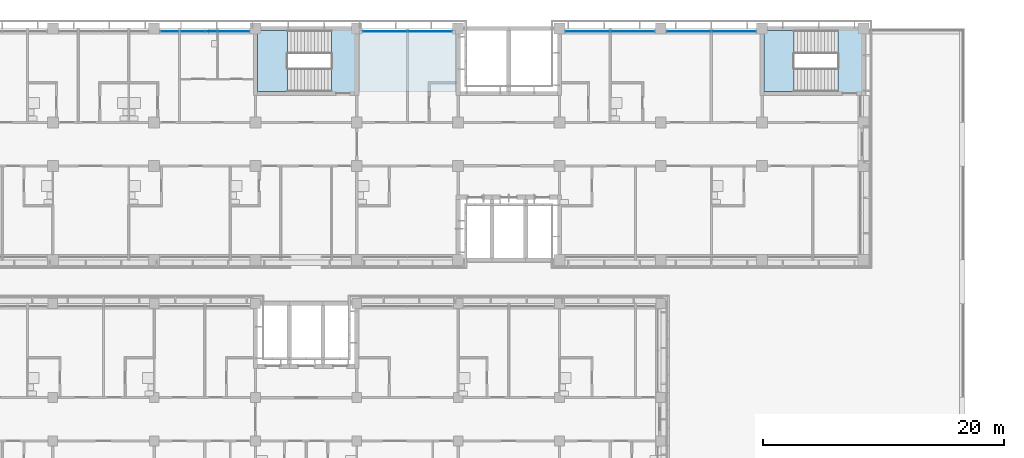
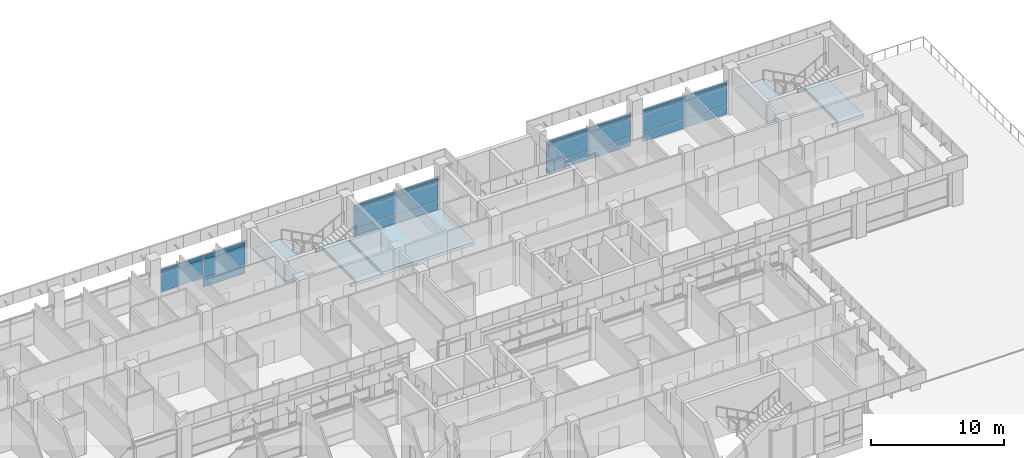
# One storey, part 62 of 137: 23 plates, 5 slabs, 6 elements without a shape of their own.
"""IFC4 building model written with IfcOpenShell, lengths in metres."""

from ifc_helpers import new_model, si_unit, direction, frame, origin, origin_2d, place, context, subcontext, project, spatial, polyline, rectangle, outline, extrude, material, layer, layer_set, type_object, element, aggregate, save


model = new_model("IFC4")

# Units and contexts
model_context = context("Model", 3, precision=1e-05, world=origin(), true_north=direction((0.0, 1.0)))
body_context = subcontext(model_context, "Body", "Model", "MODEL_VIEW")
ifc_project = project(units=[si_unit("LENGTHUNIT", "METRE"), si_unit("AREAUNIT", "SQUARE_METRE"), si_unit("VOLUMEUNIT", "CUBIC_METRE"), si_unit("PLANEANGLEUNIT", "RADIAN"), si_unit("MASSUNIT", "GRAM", prefix="KILO")], contexts=[model_context])

# Site, building, storey
site_placement = place(None, origin())
site = spatial("IfcSite", under=ifc_project, at=site_placement, CompositionType="ELEMENT")
building_placement = place(site_placement, origin())
building = spatial("IfcBuilding", under=site, at=building_placement, Name="Bougainvillea Quay General Hospital", CompositionType="ELEMENT")
storey_placement = place(building_placement, frame((0.0, 0.0, 16.800048828125)))
storey = spatial("IfcBuildingStorey", under=building, at=storey_placement, Name="L03", CompositionType="ELEMENT", Elevation=16.800048828125)

# Curtain wall, plates
ifc_material_1 = material(Name="Aluminium curtain wall system, powder-coated glazed", Category="aluminium")
curtain_wall_type = type_object("IfcCurtainWallType", Name="Unitised curtain wall CW-3730", PredefinedType="NOTDEFINED", material=ifc_material_1)
curtain_wall_1_placement = place(storey_placement, origin())
curtain_wall_1 = element("IfcCurtainWall", 1, at=curtain_wall_1_placement, inside=storey, type_object=curtain_wall_type, Name="CW-4200 00", PredefinedType="NOTDEFINED")
ifc_material_2 = material(Name="Insulated aluminium spandrel panel, white", Category="aluminium")
ifc_layer_1 = layer(ifc_material_2, 0.028076171875)
ifc_layer_set_1 = layer_set([ifc_layer_1], Name="Insulated aluminium spandrel panel, white")
plate_type_1 = type_object("IfcPlateType", Name="Insulated spandrel panel white 28", PredefinedType="CURTAIN_PANEL", material=ifc_layer_set_1)
plate_1_placement = place(storey_placement, frame((174.050048828125, 159.35009765625, 0.059814453125), z_axis=(0.0, 0.0, 1.0), x_axis=(-1.0, 0.0, 0.0)))
plate_1 = element("IfcPlate", 2, at=plate_1_placement, type_object=plate_type_1, Name="CW-4200 spandrel panel 1.1", PredefinedType="CURTAIN_PANEL", context=body_context, shape_type="SweptSolid", body=[
    extrude(rectangle(XDim=3.639892578125, YDim=0.028076171875, at=origin_2d()), origin(), (0.0, 0.0, 1.0), 0.81005859375),
])
plate_2_placement = place(storey_placement, frame((174.050048828125, 159.35009765625, 2.580078125), z_axis=(0.0, 0.0, 1.0), x_axis=(-1.0, 0.0, 0.0)))
plate_2 = element("IfcPlate", 3, at=plate_2_placement, type_object=plate_type_1, Name="CW-4200 spandrel panel 1.3", PredefinedType="CURTAIN_PANEL", context=body_context, shape_type="SweptSolid", body=[
    extrude(rectangle(XDim=3.639892578125, YDim=0.028076171875, at=origin_2d()), origin(), (0.0, 0.0, 1.0), 0.409912109375),
])
plate_3_placement = place(storey_placement, frame((170.35009765625, 159.35009765625, 0.059814453125), z_axis=(0.0, 0.0, 1.0), x_axis=(-1.0, 0.0, 0.0)))
plate_3 = element("IfcPlate", 4, at=plate_3_placement, type_object=plate_type_1, Name="CW-4200 spandrel panel 2.1", PredefinedType="CURTAIN_PANEL", context=body_context, shape_type="SweptSolid", body=[
    extrude(rectangle(XDim=3.639892578125, YDim=0.028076171875, at=origin_2d()), origin(), (0.0, 0.0, 1.0), 0.81005859375),
])
plate_4_placement = place(storey_placement, frame((170.35009765625, 159.35009765625, 2.580078125), z_axis=(0.0, 0.0, 1.0), x_axis=(-1.0, 0.0, 0.0)))
plate_4 = element("IfcPlate", 5, at=plate_4_placement, type_object=plate_type_1, Name="CW-4200 spandrel panel 2.3", PredefinedType="CURTAIN_PANEL", context=body_context, shape_type="SweptSolid", body=[
    extrude(rectangle(XDim=3.639892578125, YDim=0.028076171875, at=origin_2d()), origin(), (0.0, 0.0, 1.0), 0.409912109375),
])

curtain_wall_2_placement = place(storey_placement, origin())
curtain_wall_2 = element("IfcCurtainWall", 6, at=curtain_wall_2_placement, inside=storey, type_object=curtain_wall_type, Name="CW-4200 01", PredefinedType="NOTDEFINED")
plate_5_placement = place(storey_placement, frame((165.64990234375, 159.35009765625, 0.059814453125), z_axis=(0.0, 0.0, 1.0), x_axis=(-1.0, 0.0, 0.0)))
plate_5 = element("IfcPlate", 7, at=plate_5_placement, type_object=plate_type_1, Name="CW-4200 spandrel panel 1.1", PredefinedType="CURTAIN_PANEL", context=body_context, shape_type="SweptSolid", body=[
    extrude(rectangle(XDim=3.639892578125, YDim=0.028076171875, at=origin_2d()), origin(), (0.0, 0.0, 1.0), 0.81005859375),
])
plate_6_placement = place(storey_placement, frame((165.64990234375, 159.35009765625, 2.580078125), z_axis=(0.0, 0.0, 1.0), x_axis=(-1.0, 0.0, 0.0)))
plate_6 = element("IfcPlate", 8, at=plate_6_placement, type_object=plate_type_1, Name="CW-4200 spandrel panel 1.3", PredefinedType="CURTAIN_PANEL", context=body_context, shape_type="SweptSolid", body=[
    extrude(rectangle(XDim=3.639892578125, YDim=0.028076171875, at=origin_2d()), origin(), (0.0, 0.0, 1.0), 0.409912109375),
])
plate_7_placement = place(storey_placement, frame((161.949951171875, 159.35009765625, 0.059814453125), z_axis=(0.0, 0.0, 1.0), x_axis=(-1.0, 0.0, 0.0)))
plate_7 = element("IfcPlate", 9, at=plate_7_placement, type_object=plate_type_1, Name="CW-4200 spandrel panel 2.1", PredefinedType="CURTAIN_PANEL", context=body_context, shape_type="SweptSolid", body=[
    extrude(rectangle(XDim=3.639892578125, YDim=0.028076171875, at=origin_2d()), origin(), (0.0, 0.0, 1.0), 0.81005859375),
])
plate_8_placement = place(storey_placement, frame((161.949951171875, 159.35009765625, 2.580078125), z_axis=(0.0, 0.0, 1.0), x_axis=(-1.0, 0.0, 0.0)))
plate_8 = element("IfcPlate", 10, at=plate_8_placement, type_object=plate_type_1, Name="CW-4200 spandrel panel 2.3", PredefinedType="CURTAIN_PANEL", context=body_context, shape_type="SweptSolid", body=[
    extrude(rectangle(XDim=3.639892578125, YDim=0.028076171875, at=origin_2d()), origin(), (0.0, 0.0, 1.0), 0.409912109375),
])

curtain_wall_3_placement = place(storey_placement, origin())
curtain_wall_3 = element("IfcCurtainWall", 11, at=curtain_wall_3_placement, inside=storey, type_object=curtain_wall_type, Name="CW-4200 00", PredefinedType="NOTDEFINED")
plate_9_placement = place(storey_placement, frame((148.85009765625, 159.35009765625, 0.059814453125), z_axis=(0.0, 0.0, 1.0), x_axis=(-1.0, 0.0, 0.0)))
plate_9 = element("IfcPlate", 12, at=plate_9_placement, type_object=plate_type_1, Name="CW-4200 spandrel panel 1.1", PredefinedType="CURTAIN_PANEL", context=body_context, shape_type="SweptSolid", body=[
    extrude(rectangle(XDim=3.639892578125, YDim=0.028076171875, at=origin_2d()), origin(), (0.0, 0.0, 1.0), 0.81005859375),
])
plate_10_placement = place(storey_placement, frame((148.85009765625, 159.35009765625, 2.580078125), z_axis=(0.0, 0.0, 1.0), x_axis=(-1.0, 0.0, 0.0)))
plate_10 = element("IfcPlate", 13, at=plate_10_placement, type_object=plate_type_1, Name="CW-4200 spandrel panel 1.3", PredefinedType="CURTAIN_PANEL", context=body_context, shape_type="SweptSolid", body=[
    extrude(rectangle(XDim=3.639892578125, YDim=0.028076171875, at=origin_2d()), origin(), (0.0, 0.0, 1.0), 0.409912109375),
])
plate_11_placement = place(storey_placement, frame((145.14990234375, 159.35009765625, 0.059814453125), z_axis=(0.0, 0.0, 1.0), x_axis=(-1.0, 0.0, 0.0)))
plate_11 = element("IfcPlate", 14, at=plate_11_placement, type_object=plate_type_1, Name="CW-4200 spandrel panel 2.1", PredefinedType="CURTAIN_PANEL", context=body_context, shape_type="SweptSolid", body=[
    extrude(rectangle(XDim=3.639892578125, YDim=0.028076171875, at=origin_2d()), origin(), (0.0, 0.0, 1.0), 0.81005859375),
])
plate_12_placement = place(storey_placement, frame((145.14990234375, 159.35009765625, 2.580078125), z_axis=(0.0, 0.0, 1.0), x_axis=(-1.0, 0.0, 0.0)))
plate_12 = element("IfcPlate", 15, at=plate_12_placement, type_object=plate_type_1, Name="CW-4200 spandrel panel 2.3", PredefinedType="CURTAIN_PANEL", context=body_context, shape_type="SweptSolid", body=[
    extrude(rectangle(XDim=3.639892578125, YDim=0.028076171875, at=origin_2d()), origin(), (0.0, 0.0, 1.0), 0.409912109375),
])

curtain_wall_4_placement = place(storey_placement, origin())
curtain_wall_4 = element("IfcCurtainWall", 16, at=curtain_wall_4_placement, inside=storey, type_object=curtain_wall_type, Name="CW-4200 01", PredefinedType="NOTDEFINED")
plate_13_placement = place(storey_placement, frame((132.050048828125, 159.35009765625, 0.059814453125), z_axis=(0.0, 0.0, 1.0), x_axis=(-1.0, 0.0, 0.0)))
plate_13 = element("IfcPlate", 17, at=plate_13_placement, type_object=plate_type_1, Name="CW-4200 spandrel panel 1.1", PredefinedType="CURTAIN_PANEL", context=body_context, shape_type="SweptSolid", body=[
    extrude(rectangle(XDim=3.639892578125, YDim=0.028076171875, at=origin_2d()), origin(), (0.0, 0.0, 1.0), 0.81005859375),
])
plate_14_placement = place(storey_placement, frame((132.050048828125, 159.35009765625, 2.580078125), z_axis=(0.0, 0.0, 1.0), x_axis=(-1.0, 0.0, 0.0)))
plate_14 = element("IfcPlate", 18, at=plate_14_placement, type_object=plate_type_1, Name="CW-4200 spandrel panel 1.3", PredefinedType="CURTAIN_PANEL", context=body_context, shape_type="SweptSolid", body=[
    extrude(rectangle(XDim=3.639892578125, YDim=0.028076171875, at=origin_2d()), origin(), (0.0, 0.0, 1.0), 0.409912109375),
])
plate_15_placement = place(storey_placement, frame((128.35009765625, 159.35009765625, 2.580078125), z_axis=(0.0, 0.0, 1.0), x_axis=(-1.0, 0.0, 0.0)))
plate_15 = element("IfcPlate", 19, at=plate_15_placement, type_object=plate_type_1, Name="CW-4200 spandrel panel 2.3", PredefinedType="CURTAIN_PANEL", context=body_context, shape_type="SweptSolid", body=[
    extrude(rectangle(XDim=3.639892578125, YDim=0.028076171875, at=origin_2d()), origin(), (0.0, 0.0, 1.0), 0.409912109375),
])

# Plate
ifc_material_3 = material(Name="Low-e laminated glass, solar control", Category="glass")
ifc_layer_2 = layer(ifc_material_3, 0.028076171875)
ifc_layer_set_2 = layer_set([ifc_layer_2], Name="Low-e laminated glass, solar control")
plate_type_2 = type_object("IfcPlateType", Name="Low-e laminated vision glass 28", PredefinedType="CURTAIN_PANEL", material=ifc_layer_set_2)
plate_16_placement = place(storey_placement, frame((174.050048828125, 159.35009765625, 0.9296875), z_axis=(0.0, 0.0, 1.0), x_axis=(-1.0, 0.0, 0.0)))
plate_16 = element("IfcPlate", 20, at=plate_16_placement, type_object=plate_type_2, Name="CW-4200 vision glass panel 1.2", PredefinedType="CURTAIN_PANEL", context=body_context, shape_type="SweptSolid", body=[
    extrude(rectangle(XDim=3.639892578125, YDim=0.028076171875, at=origin_2d()), origin(), (0.0, 0.0, 1.0), 1.590087890625),
])

plate_17_placement = place(storey_placement, frame((170.35009765625, 159.35009765625, 0.9296875), z_axis=(0.0, 0.0, 1.0), x_axis=(-1.0, 0.0, 0.0)))
plate_17 = element("IfcPlate", 21, at=plate_17_placement, type_object=plate_type_2, Name="CW-4200 vision glass panel 2.2", PredefinedType="CURTAIN_PANEL", context=body_context, shape_type="SweptSolid", body=[
    extrude(rectangle(XDim=3.639892578125, YDim=0.028076171875, at=origin_2d()), origin(), (0.0, 0.0, 1.0), 1.590087890625),
])

aggregate(curtain_wall_1, [plate_1, plate_16, plate_2, plate_3, plate_17, plate_4])

plate_18_placement = place(storey_placement, frame((165.64990234375, 159.35009765625, 0.9296875), z_axis=(0.0, 0.0, 1.0), x_axis=(-1.0, 0.0, 0.0)))
plate_18 = element("IfcPlate", 22, at=plate_18_placement, type_object=plate_type_2, Name="CW-4200 vision glass panel 1.2", PredefinedType="CURTAIN_PANEL", context=body_context, shape_type="SweptSolid", body=[
    extrude(rectangle(XDim=3.639892578125, YDim=0.028076171875, at=origin_2d()), origin(), (0.0, 0.0, 1.0), 1.590087890625),
])

plate_19_placement = place(storey_placement, frame((161.949951171875, 159.35009765625, 0.9296875), z_axis=(0.0, 0.0, 1.0), x_axis=(-1.0, 0.0, 0.0)))
plate_19 = element("IfcPlate", 23, at=plate_19_placement, type_object=plate_type_2, Name="CW-4200 vision glass panel 2.2", PredefinedType="CURTAIN_PANEL", context=body_context, shape_type="SweptSolid", body=[
    extrude(rectangle(XDim=3.639892578125, YDim=0.028076171875, at=origin_2d()), origin(), (0.0, 0.0, 1.0), 1.590087890625),
])

aggregate(curtain_wall_2, [plate_5, plate_18, plate_6, plate_7, plate_19, plate_8])

plate_20_placement = place(storey_placement, frame((148.85009765625, 159.35009765625, 0.9296875), z_axis=(0.0, 0.0, 1.0), x_axis=(-1.0, 0.0, 0.0)))
plate_20 = element("IfcPlate", 24, at=plate_20_placement, type_object=plate_type_2, Name="CW-4200 vision glass panel 1.2", PredefinedType="CURTAIN_PANEL", context=body_context, shape_type="SweptSolid", body=[
    extrude(rectangle(XDim=3.639892578125, YDim=0.028076171875, at=origin_2d()), origin(), (0.0, 0.0, 1.0), 1.590087890625),
])

plate_21_placement = place(storey_placement, frame((145.14990234375, 159.35009765625, 0.9296875), z_axis=(0.0, 0.0, 1.0), x_axis=(-1.0, 0.0, 0.0)))
plate_21 = element("IfcPlate", 25, at=plate_21_placement, type_object=plate_type_2, Name="CW-4200 vision glass panel 2.2", PredefinedType="CURTAIN_PANEL", context=body_context, shape_type="SweptSolid", body=[
    extrude(rectangle(XDim=3.639892578125, YDim=0.028076171875, at=origin_2d()), origin(), (0.0, 0.0, 1.0), 1.590087890625),
])

aggregate(curtain_wall_3, [plate_9, plate_20, plate_10, plate_11, plate_21, plate_12])

plate_22_placement = place(storey_placement, frame((132.050048828125, 159.35009765625, 0.9296875), z_axis=(0.0, 0.0, 1.0), x_axis=(-1.0, 0.0, 0.0)))
plate_22 = element("IfcPlate", 26, at=plate_22_placement, type_object=plate_type_2, Name="CW-4200 vision glass panel 1.2", PredefinedType="CURTAIN_PANEL", context=body_context, shape_type="SweptSolid", body=[
    extrude(rectangle(XDim=3.639892578125, YDim=0.028076171875, at=origin_2d()), origin(), (0.0, 0.0, 1.0), 1.590087890625),
])

plate_23_placement = place(storey_placement, frame((128.35009765625, 159.35009765625, 0.9296875), z_axis=(0.0, 0.0, 1.0), x_axis=(-1.0, 0.0, 0.0)))
plate_23 = element("IfcPlate", 27, at=plate_23_placement, type_object=plate_type_2, Name="CW-4200 vision glass panel 2.2", PredefinedType="CURTAIN_PANEL", context=body_context, shape_type="SweptSolid", body=[
    extrude(rectangle(XDim=3.639892578125, YDim=0.028076171875, at=origin_2d()), origin(), (0.0, 0.0, 1.0), 1.590087890625),
])

aggregate(curtain_wall_4, [plate_13, plate_22, plate_14, plate_23, plate_15])

# Slabs
ifc_material_4 = material(Name="Concrete C35", Category="concrete")
ifc_layer_3 = layer(ifc_material_4, 0.300048828125)
ifc_layer_set_3 = layer_set([ifc_layer_3], Name="Concrete C35")
slab_type_1 = type_object("IfcSlabType", Name="RC FLAT SLAB 300 C35", PredefinedType="FLOOR", material=ifc_layer_set_3)
slab_1_placement = place(storey_placement, frame((0.0, 0.0, -0.300048828125)))
element("IfcSlab", 28, at=slab_1_placement, inside=storey, type_object=slab_type_1, Name="Slab S3 L03", PredefinedType="FLOOR", context=body_context, shape_type="SweptSolid", body=[
    extrude(outline(polyline([(151.02490234375, 154.375), (151.02490234375, 159.425048828125), (142.97509765625, 159.425048828125), (142.97509765625, 154.375), (151.02490234375, 154.375)])), origin(), (0.0, 0.0, 1.0), 0.300048828125),
])
slab_2_placement = place(storey_placement, frame((0.0, 0.0, -0.300048828125)))
element("IfcSlab", 29, at=slab_2_placement, inside=storey, type_object=slab_type_1, Name="Stair landing floor ST-A3 L03", PredefinedType="FLOOR", context=body_context, shape_type="SweptSolid", body=[
    extrude(outline(polyline([(140.102783203125, 159.48388671875), (140.111572265625, 159.5419921875), (140.1259765625, 159.599609375), (142.800048828125, 159.60009765625), (142.800048828125, 154.199951171875), (140.1259765625, 154.200439453125), (140.111572265625, 154.2578125), (140.102783203125, 154.316162109375), (140.10009765625, 154.3740234375), (140.70068359375, 154.374267578125), (140.70068359375, 159.425537109375), (140.10009765625, 159.426025390625), (140.102783203125, 159.48388671875)])), origin(), (0.0, 0.0, 1.0), 0.300048828125),
])
slab_3_placement = place(storey_placement, frame((0.0, 0.0, -0.300048828125)))
element("IfcSlab", 30, at=slab_3_placement, inside=storey, type_object=slab_type_1, Name="Stair landing floor ST-A4 L03", PredefinedType="FLOOR", context=body_context, shape_type="SweptSolid", body=[
    extrude(outline(polyline([(182.102783203125, 159.48388671875), (182.111572265625, 159.5419921875), (182.1259765625, 159.599609375), (184.800048828125, 159.60009765625), (184.800048828125, 154.199951171875), (182.1259765625, 154.200439453125), (182.111572265625, 154.2578125), (182.102783203125, 154.316162109375), (182.10009765625, 154.3740234375), (182.70068359375, 154.374267578125), (182.70068359375, 159.425537109375), (182.10009765625, 159.426025390625), (182.102783203125, 159.48388671875)])), origin(), (0.0, 0.0, 1.0), 0.300048828125),
])

# Stair, slab
stair_type = type_object("IfcStairType", Name="Stair half-turn 1925 wide", PredefinedType="HALF_TURN_STAIR", material=ifc_material_4)
stair_1_placement = place(storey_placement, origin())
stair_1 = element("IfcStair", 31, at=stair_1_placement, inside=storey, type_object=stair_type, Name="L03 stair ST-A3", PredefinedType="HALF_TURN_STAIR")
ifc_layer_4 = layer(ifc_material_4, 0.199951171875)
ifc_layer_set_4 = layer_set([ifc_layer_4], Name="Concrete C35")
slab_type_2 = type_object("IfcSlabType", Name="Stair landing 200", PredefinedType="LANDING", material=ifc_layer_set_4)
slab_4_placement = place(storey_placement, frame((0.0, 0.0, 1.89990234375)))
slab_4 = element("IfcSlab", 32, at=slab_4_placement, type_object=slab_type_2, Name="ST-A3 landing 1", PredefinedType="LANDING", context=body_context, shape_type="SweptSolid", body=[
    extrude(outline(polyline([(137.06005859375, 159.425048828125), (134.574951171875, 159.425048828125), (134.574951171875, 154.375), (137.06005859375, 154.375), (137.06005859375, 159.425048828125)])), origin(), (0.0, 0.0, 1.0), 0.199951171875),
])
aggregate(stair_1, [slab_4])

stair_2_placement = place(storey_placement, origin())
stair_2 = element("IfcStair", 33, at=stair_2_placement, inside=storey, type_object=stair_type, Name="L03 stair ST-A4", PredefinedType="HALF_TURN_STAIR")
slab_5_placement = place(storey_placement, frame((0.0, 0.0, 1.89990234375)))
slab_5 = element("IfcSlab", 34, at=slab_5_placement, type_object=slab_type_2, Name="ST-A4 landing 1", PredefinedType="LANDING", context=body_context, shape_type="SweptSolid", body=[
    extrude(outline(polyline([(179.06005859375, 159.425048828125), (176.574951171875, 159.425048828125), (176.574951171875, 154.375), (179.06005859375, 154.375), (179.06005859375, 159.425048828125)])), origin(), (0.0, 0.0, 1.0), 0.199951171875),
])
aggregate(stair_2, [slab_5])

save(model, "model.ifc")
